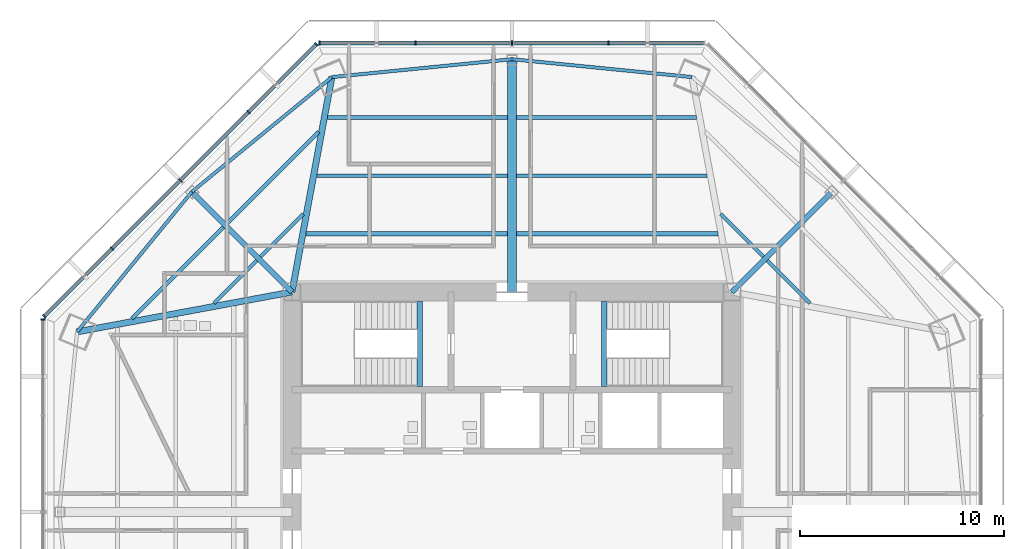
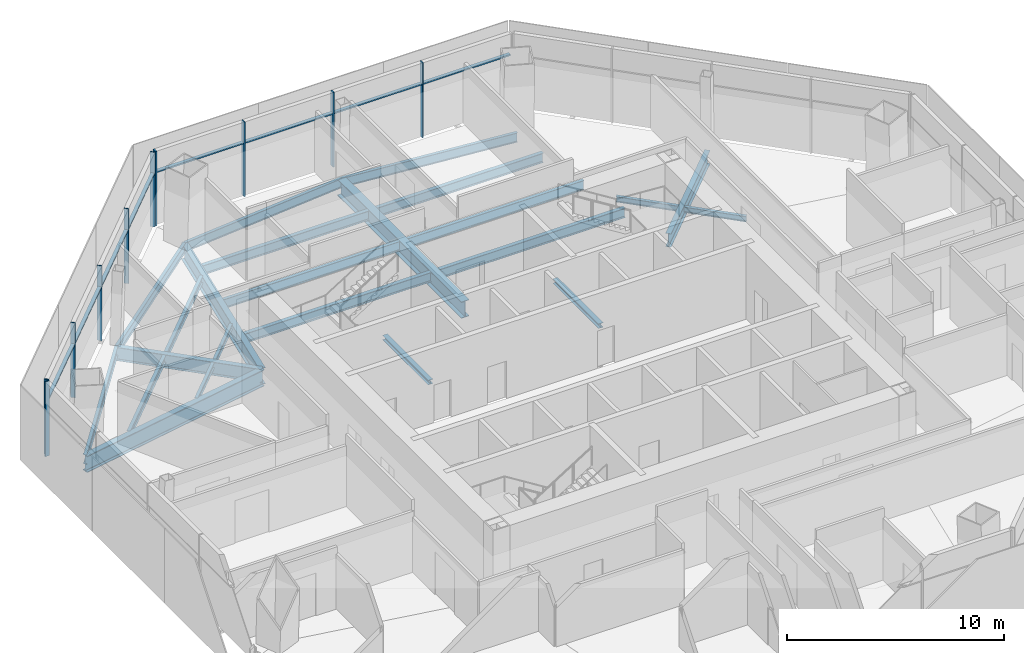
# One storey, part 5 of 15: 23 beams, 18 members, 3 elements without a shape of their own.
"""IFC4 building model written with IfcOpenShell, lengths in metres."""

from ifc_helpers import new_model, si_unit, direction, frame, origin, origin_2d, place, context, subcontext, project, spatial, rectangle, i_section, extrude, source, transform, mapped, material, material_profile, profile_set, type_object, type_shapes, element, aggregate, save


model = new_model("IFC4")

# Units and contexts
model_context = context("Model", 3, precision=1e-05, world=origin(), true_north=direction((0.0, 1.0)))
body_context = subcontext(model_context, "Body", "Model", "MODEL_VIEW")
ifc_project = project(units=[si_unit("LENGTHUNIT", "METRE"), si_unit("AREAUNIT", "SQUARE_METRE"), si_unit("VOLUMEUNIT", "CUBIC_METRE"), si_unit("PLANEANGLEUNIT", "RADIAN"), si_unit("MASSUNIT", "GRAM", prefix="KILO")], contexts=[model_context])

# Site, building, storey
site_placement = place(None, origin())
site = spatial("IfcSite", under=ifc_project, at=site_placement, CompositionType="ELEMENT")
building_placement = place(site_placement, origin())
building = spatial("IfcBuilding", under=site, at=building_placement, Name="Mashrafa Tower", CompositionType="ELEMENT")
storey_placement = place(building_placement, frame((0.0, 0.0, 176.39990234375)))
storey = spatial("IfcBuildingStorey", under=building, at=storey_placement, Name="L40", CompositionType="ELEMENT", Elevation=176.39990234375)

# Beams
ifc_material_1 = material(Name="Steel ASTM A992", Category="steel")
ifc_material_profile_1 = material_profile(ifc_material_1, i_section(OverallWidth=0.164794921875, OverallDepth=0.309814453125, WebThickness=0.005859375, FlangeThickness=0.009765625, FilletRadius=0.007568359375, at=origin_2d()), Name="W12X26")
ifc_profile_set_1 = profile_set([ifc_material_profile_1], Name="Steel ASTM A992")
beam_type_1 = type_object("IfcBeamType", Name="Beam W12X26", PredefinedType="BEAM", material=ifc_profile_set_1)
for number, where, z_axis, x_axis, name in (
    (1, (-14.63330078125, 10.24560546875, -0.31982421875), (0.707106781187, 0.707106781187, 0.0), (-0.707106781187, 0.707106781187, 0.0), "Floor beam L40 006"),
    (2, (-12.34521484375, 12.53369140625, -0.31982421875), (0.707106781187, 0.707106781187, 0.0), (-0.707106781187, 0.707106781187, 0.0), "Floor beam L40 012"),
    (3, (10.24560546875, 14.63330078125, -0.31982421875), (0.707106781187, -0.707106781187, 0.0), (0.707106781187, 0.707106781187, 0.0), "Floor beam L40 027"),
    (4, (12.53369140625, 12.34521484375, -0.31982421875), (0.707106781187, -0.707106781187, 0.0), (0.707106781187, 0.707106781187, 0.0), "Floor beam L40 030"),
):
    element("IfcBeam", number, at=place(storey_placement, frame(where, z_axis=z_axis, x_axis=x_axis)), inside=storey, type_object=beam_type_1, Name=name, PredefinedType="BEAM", context=body_context, shape_type="SweptSolid", body=[
        extrude(i_section(OverallWidth=0.164794921875, OverallDepth=0.309814453125, WebThickness=0.005859375, FlangeThickness=0.009765625, FilletRadius=0.007568359375, at=origin_2d()), origin(), (0.0, 0.0, 1.0), 2.96923828125),
    ])
ifc_material_2 = material(Name="Steel ASTM A992", Category="steel")
ifc_material_profile_2 = material_profile(ifc_material_2, i_section(OverallWidth=0.177734375, OverallDepth=0.406494140625, WebThickness=0.0078125, FlangeThickness=0.012939453125, FilletRadius=0.01025390625, at=origin_2d()), Name="W16X40")
ifc_profile_set_2 = profile_set([ifc_material_profile_2], Name="Steel ASTM A992")
beam_type_2 = type_object("IfcBeamType", Name="Beam W16X40", PredefinedType="BEAM", material=ifc_profile_set_2)
for number, where, z_axis, x_axis, name in (
    (5, (-18.65869140625, 9.49951171875, -0.3681640625), (0.707126025591, 0.707087536258, 0.0), (-0.707087536258, 0.707126025591, 0.0), "Floor beam L40 003"),
    (6, (-13.984619140625, 14.17333984375, -0.3681640625), (0.707087536258, 0.707126025591, 0.0), (-0.707126025591, 0.707087536258, 0.0), "Floor beam L40 008"),
):
    element("IfcBeam", number, at=place(storey_placement, frame(where, z_axis=z_axis, x_axis=x_axis)), inside=storey, type_object=beam_type_2, Name=name, PredefinedType="BEAM", context=body_context, shape_type="SweptSolid", body=[
        extrude(i_section(OverallWidth=0.177734375, OverallDepth=0.406494140625, WebThickness=0.0078125, FlangeThickness=0.012939453125, FilletRadius=0.01025390625, at=origin_2d()), origin(), (0.0, 0.0, 1.0), 6.343017578125),
    ])
ifc_material_3 = material(Name="Steel ASTM A992", Category="steel")
ifc_material_profile_3 = material_profile(ifc_material_3, i_section(OverallWidth=0.1650390625, OverallDepth=0.52587890625, WebThickness=0.0087890625, FlangeThickness=0.011474609375, FilletRadius=0.0126953125, at=origin_2d()), Name="W21X44")
ifc_profile_set_3 = profile_set([ifc_material_profile_3], Name="Steel ASTM A992")
beam_type_3 = type_object("IfcBeamType", Name="Beam W21X44", PredefinedType="BEAM", material=ifc_profile_set_3)
for number, where, z_axis, x_axis, name in (
    (7, (-9.584228515625, 16.5146484375, -0.427734375), (1.0, 0.0, 0.0), (0.0, 1.0, 0.0), "Floor beam L40 015"),
    (8, (0.20947265625, 16.5146484375, -0.427734375), (1.0, 0.0, 0.0), (0.0, 1.0, 0.0), "Floor beam L40 022"),
):
    element("IfcBeam", number, at=place(storey_placement, frame(where, z_axis=z_axis, x_axis=x_axis)), inside=storey, type_object=beam_type_3, Name=name, PredefinedType="BEAM", context=body_context, shape_type="SweptSolid", body=[
        extrude(i_section(OverallWidth=0.1650390625, OverallDepth=0.52587890625, WebThickness=0.0087890625, FlangeThickness=0.011474609375, FilletRadius=0.0126953125, at=origin_2d()), origin(), (0.0, 0.0, 1.0), 9.374755859375),
    ])
for number, where, z_axis, x_axis, name in (
    (9, (-15.718505859375, 15.718505859375, -0.427734375), (-0.633774674835, -0.773517718955, 0.0), (0.773517718955, -0.633774674835, 0.0), "Spandrel beam L40 061"),
    (10, (-8.843994140625, 21.35107421875, -0.427734375), (-0.773517718955, -0.633774674835, 0.0), (0.633774674835, -0.773517718955, 0.0), "Spandrel beam L40 063"),
    (11, (0.0, 22.229248046875, -0.427734375), (-0.99510630384, -0.098810141474, 0.0), (0.098810141474, -0.99510630384, 0.0), "Spandrel beam L40 065"),
    (12, (8.843994140625, 21.35107421875, -0.427734375), (-0.99510630384, 0.098810141474, 0.0), (-0.098810141474, -0.99510630384, 0.0), "Spandrel beam L40 067"),
):
    element("IfcBeam", number, at=place(storey_placement, frame(where, z_axis=z_axis, x_axis=x_axis)), inside=storey, type_object=beam_type_3, Name=name, PredefinedType="BEAM", context=body_context, shape_type="SweptSolid", body=[
        extrude(i_section(OverallWidth=0.1650390625, OverallDepth=0.52587890625, WebThickness=0.0087890625, FlangeThickness=0.011474609375, FilletRadius=0.0126953125, at=origin_2d()), origin(), (0.0, 0.0, 1.0), 8.887451171875),
    ])
ifc_material_4 = material(Name="Steel ASTM A992", Category="steel")
ifc_material_profile_4 = material_profile(ifc_material_4, i_section(OverallWidth=0.209228515625, OverallDepth=0.533447265625, WebThickness=0.01025390625, FlangeThickness=0.015625, FilletRadius=0.012939453125, at=origin_2d()), Name="W21X62")
ifc_profile_set_4 = profile_set([ifc_material_profile_4], Name="Steel ASTM A992")
beam_type_4 = type_object("IfcBeamType", Name="Beam W21X62", PredefinedType="BEAM", material=ifc_profile_set_4)
beam_1_placement = place(storey_placement, frame((-10.114013671875, 13.6572265625, -0.431640625), z_axis=(1.0, 0.0, 0.0), x_axis=(0.0, 1.0, 0.0)))
element("IfcBeam", 13, at=beam_1_placement, inside=storey, type_object=beam_type_4, Name="Floor beam L40 013", PredefinedType="BEAM", context=body_context, shape_type="SweptSolid", body=[
    extrude(i_section(OverallWidth=0.209228515625, OverallDepth=0.533447265625, WebThickness=0.01025390625, FlangeThickness=0.015625, FilletRadius=0.012939453125, at=origin_2d()), origin(), (0.0, 0.0, 1.0), 9.904541015625),
])
beam_2_placement = place(storey_placement, frame((-9.054443359375, 19.3720703125, -0.431640625), z_axis=(1.0, 0.0, 0.0), x_axis=(0.0, 1.0, 0.0)))
element("IfcBeam", 14, at=beam_2_placement, inside=storey, type_object=beam_type_4, Name="Floor beam L40 017", PredefinedType="BEAM", context=body_context, shape_type="SweptSolid", body=[
    extrude(i_section(OverallWidth=0.209228515625, OverallDepth=0.533447265625, WebThickness=0.01025390625, FlangeThickness=0.015625, FilletRadius=0.012939453125, at=origin_2d()), origin(), (0.0, 0.0, 1.0), 8.844970703125),
])
beam_3_placement = place(storey_placement, frame((0.20947265625, 13.6572265625, -0.431640625), z_axis=(1.0, 0.0, 0.0), x_axis=(0.0, 1.0, 0.0)))
element("IfcBeam", 15, at=beam_3_placement, inside=storey, type_object=beam_type_4, Name="Floor beam L40 021", PredefinedType="BEAM", context=body_context, shape_type="SweptSolid", body=[
    extrude(i_section(OverallWidth=0.209228515625, OverallDepth=0.533447265625, WebThickness=0.01025390625, FlangeThickness=0.015625, FilletRadius=0.012939453125, at=origin_2d()), origin(), (0.0, 0.0, 1.0), 9.904541015625),
])
beam_4_placement = place(storey_placement, frame((0.20947265625, 19.3720703125, -0.431640625), z_axis=(1.0, 0.0, 0.0), x_axis=(0.0, 1.0, 0.0)))
element("IfcBeam", 16, at=beam_4_placement, inside=storey, type_object=beam_type_4, Name="Floor beam L40 023", PredefinedType="BEAM", context=body_context, shape_type="SweptSolid", body=[
    extrude(i_section(OverallWidth=0.209228515625, OverallDepth=0.533447265625, WebThickness=0.01025390625, FlangeThickness=0.015625, FilletRadius=0.012939453125, at=origin_2d()), origin(), (0.0, 0.0, 1.0), 8.844970703125),
])
ifc_material_5 = material(Name="Steel ASTM A992", Category="steel")
ifc_material_profile_5 = material_profile(ifc_material_5, i_section(OverallWidth=0.2666015625, OverallDepth=0.75439453125, WebThickness=0.01318359375, FlangeThickness=0.01708984375, FilletRadius=0.0166015625, at=origin_2d()), Name="W30X99")
ifc_profile_set_5 = profile_set([ifc_material_profile_5], Name="Steel ASTM A992")
beam_type_5 = type_object("IfcBeamType", Name="Beam W30X99", PredefinedType="BEAM", material=ifc_profile_set_5)
for number, where, z_axis, x_axis, name in (
    (17, (-10.800048828125, 10.800048828125, -0.5419921875), (-0.707106781187, 0.707106781187, 0.0), (-0.707106781187, -0.707106781187, 0.0), "Radial girder L40 046"),
    (18, (10.800048828125, 10.800048828125, -0.5419921875), (0.707106781187, 0.707106781187, 0.0), (-0.707106781187, 0.707106781187, 0.0), "Radial girder L40 055"),
):
    element("IfcBeam", number, at=place(storey_placement, frame(where, z_axis=z_axis, x_axis=x_axis)), inside=storey, type_object=beam_type_5, Name=name, PredefinedType="BEAM", context=body_context, shape_type="SweptSolid", body=[
        extrude(i_section(OverallWidth=0.2666015625, OverallDepth=0.75439453125, WebThickness=0.01318359375, FlangeThickness=0.01708984375, FilletRadius=0.0166015625, at=origin_2d()), origin(), (0.0, 0.0, 1.0), 6.955810546875),
    ])
ifc_material_6 = material(Name="Steel ASTM A992", Category="steel")
ifc_material_profile_6 = material_profile(ifc_material_6, i_section(OverallWidth=0.307373046875, OverallDepth=0.927001953125, WebThickness=0.01953125, FlangeThickness=0.031982421875, FilletRadius=0.01904296875, at=origin_2d()), Name="W36X194")
ifc_profile_set_6 = profile_set([ifc_material_profile_6], Name="Steel ASTM A992")
beam_type_6 = type_object("IfcBeamType", Name="Beam W36X194", PredefinedType="BEAM", material=ifc_profile_set_6)
for number, where, z_axis, x_axis, name in (
    (19, (-10.800048828125, 10.800048828125, -0.62841796875), (-0.983245927501, -0.182283970917, 0.0), (0.182283970917, -0.983245927501, 0.0), "Radial girder L40 045"),
    (20, (-10.800048828125, 10.800048828125, -0.62841796875), (0.182283970917, 0.983245927501, 0.0), (-0.983245927501, 0.182283970917, 0.0), "Radial girder L40 047"),
):
    element("IfcBeam", number, at=place(storey_placement, frame(where, z_axis=z_axis, x_axis=x_axis)), inside=storey, type_object=beam_type_6, Name=name, PredefinedType="BEAM", context=body_context, shape_type="SweptSolid", body=[
        extrude(i_section(OverallWidth=0.307373046875, OverallDepth=0.927001953125, WebThickness=0.01953125, FlangeThickness=0.031982421875, FilletRadius=0.01904296875, at=origin_2d()), origin(), (0.0, 0.0, 1.0), 10.730712890625),
    ])
ifc_material_7 = material(Name="Steel ASTM A992", Category="steel")
ifc_material_profile_7 = material_profile(ifc_material_7, i_section(OverallWidth=0.419189453125, OverallDepth=0.927001953125, WebThickness=0.019287109375, FlangeThickness=0.031982421875, FilletRadius=0.020263671875, at=origin_2d()), Name="W36X231")
ifc_profile_set_7 = profile_set([ifc_material_profile_7], Name="Steel ASTM A992")
beam_type_7 = type_object("IfcBeamType", Name="Beam W36X231", PredefinedType="BEAM", material=ifc_profile_set_7)
beam_5_placement = place(storey_placement, frame((0.0, 10.800048828125, -0.62841796875), z_axis=(0.0, 1.0, 0.0), x_axis=(-1.0, 0.0, 0.0)))
element("IfcBeam", 21, at=beam_5_placement, inside=storey, type_object=beam_type_7, Name="Radial girder L40 049", PredefinedType="BEAM", context=body_context, shape_type="SweptSolid", body=[
    extrude(i_section(OverallWidth=0.419189453125, OverallDepth=0.927001953125, WebThickness=0.019287109375, FlangeThickness=0.031982421875, FilletRadius=0.020263671875, at=origin_2d()), origin(), (0.0, 0.0, 1.0), 11.42919921875),
])
ifc_material_8 = material(Name="Steel ASTM A992", Category="steel")
ifc_material_profile_8 = material_profile(ifc_material_8, i_section(OverallWidth=0.25390625, OverallDepth=0.25390625, WebThickness=0.008544921875, FlangeThickness=0.01416015625, FilletRadius=0.010009765625, at=origin_2d()), Name="W10X49")
ifc_profile_set_8 = profile_set([ifc_material_profile_8], Name="Steel ASTM A992")
beam_type_8 = type_object("IfcBeamType", Name="Hoistway beam W10X49", PredefinedType="BEAM", material=ifc_profile_set_8)
for number, where, z_axis, x_axis, name in (
    (22, (-4.530029296875, 6.14990234375, -0.326904296875), (0.0, 1.0, 0.0), (-1.0, 0.0, 0.0), "Stair S1 landing beam L40"),
    (23, (4.530029296875, 6.14990234375, -0.326904296875), (0.0, 1.0, 0.0), (-1.0, 0.0, 0.0), "Stair S2 landing beam L40"),
):
    element("IfcBeam", number, at=place(storey_placement, frame(where, z_axis=z_axis, x_axis=x_axis)), inside=storey, type_object=beam_type_8, Name=name, PredefinedType="BEAM", context=body_context, shape_type="SweptSolid", body=[
        extrude(i_section(OverallWidth=0.25390625, OverallDepth=0.25390625, WebThickness=0.008544921875, FlangeThickness=0.01416015625, FilletRadius=0.010009765625, at=origin_2d()), origin(), (0.0, 0.0, 1.0), 4.2001953125),
    ])

# Curtain wall, members
ifc_material_9 = material(Name="Unitised aluminium curtain wall", Category="aluminium")
curtain_wall_type = type_object("IfcCurtainWallType", Name="Office curtain wall, zone 2 CW-B 225 deep", PredefinedType="NOTDEFINED", material=ifc_material_9)
curtain_wall_1_placement = place(storey_placement, origin())
curtain_wall_1 = element("IfcCurtainWall", 24, at=curtain_wall_1_placement, inside=storey, type_object=curtain_wall_type, Name="Office curtain wall, zone 2 L40 north", PredefinedType="NOTDEFINED")
ifc_material_10 = material(Name="Extruded aluminium mullion", Category="aluminium")
ifc_material_profile_9 = material_profile(ifc_material_10, rectangle(XDim=0.22509765625, YDim=0.06494140625, at=origin_2d()), Name="Mullion 65x225")
ifc_profile_set_9 = profile_set([ifc_material_profile_9], Name="Extruded aluminium mullion")
member_type_1 = type_object("IfcMemberType", Name="Mullion CW-B 65 x 225", PredefinedType="MULLION", material=ifc_profile_set_9)
shared_shape_1 = source(origin(), body_context, "Body", "SweptSolid", [
    extrude(rectangle(XDim=0.22509765625, YDim=0.06494140625, at=origin_2d()), origin(), (0.0, 0.0, 1.0), 4.2001953125),
])
type_shapes(member_type_1, [shared_shape_1])
member_1_placement = place(storey_placement, frame((4.740234375, 23.024658203125, 0.0), z_axis=(0.0, 0.0, 1.0), x_axis=(0.0, -1.0, 0.0)))
member_1 = element("IfcMember", 25, at=member_1_placement, type_object=member_type_1, Name="CW-B mullion 2", PredefinedType="MULLION", context=body_context, shape_type="MappedRepresentation", body=[
    mapped(shared_shape_1, transform((0.0, 0.0, 0.0))),
])
member_2_placement = place(storey_placement, frame((0.0, 23.024658203125, 0.0), z_axis=(0.0, 0.0, 1.0), x_axis=(0.0, -1.0, 0.0)))
member_2 = element("IfcMember", 26, at=member_2_placement, type_object=member_type_1, Name="CW-B mullion 3", PredefinedType="MULLION", context=body_context, shape_type="MappedRepresentation", body=[
    mapped(shared_shape_1, transform((0.0, 0.0, 0.0))),
])
member_3_placement = place(storey_placement, frame((-4.740234375, 23.024658203125, 0.0), z_axis=(0.0, 0.0, 1.0), x_axis=(0.0, -1.0, 0.0)))
member_3 = element("IfcMember", 27, at=member_3_placement, type_object=member_type_1, Name="CW-B mullion 4", PredefinedType="MULLION", context=body_context, shape_type="MappedRepresentation", body=[
    mapped(shared_shape_1, transform((0.0, 0.0, 0.0))),
])
member_4_placement = place(storey_placement, frame((-9.447998046875, 23.024658203125, 0.0), z_axis=(0.0, 0.0, 1.0), x_axis=(0.0, -1.0, 0.0)))
member_4 = element("IfcMember", 28, at=member_4_placement, type_object=member_type_1, Name="CW-B mullion 5", PredefinedType="MULLION", context=body_context, shape_type="MappedRepresentation", body=[
    mapped(shared_shape_1, transform((0.0, 0.0, 0.0))),
])

curtain_wall_2_placement = place(storey_placement, origin())
curtain_wall_2 = element("IfcCurtainWall", 29, at=curtain_wall_2_placement, inside=storey, type_object=curtain_wall_type, Name="Office curtain wall, zone 2 L40 north-west", PredefinedType="NOTDEFINED")
member_5_placement = place(storey_placement, frame((-9.60009765625, 22.961669921875, 0.0), z_axis=(0.0, 0.0, 1.0), x_axis=(0.707106781187, -0.707106781187, 0.0)))
member_5 = element("IfcMember", 30, at=member_5_placement, type_object=member_type_1, Name="CW-B mullion 1", PredefinedType="MULLION", context=body_context, shape_type="MappedRepresentation", body=[
    mapped(shared_shape_1, transform((0.0, 0.0, 0.0))),
])
member_6_placement = place(storey_placement, frame((-12.928955078125, 19.6328125, 0.0), z_axis=(0.0, 0.0, 1.0), x_axis=(0.707106781187, -0.707106781187, 0.0)))
member_6 = element("IfcMember", 31, at=member_6_placement, type_object=member_type_1, Name="CW-B mullion 2", PredefinedType="MULLION", context=body_context, shape_type="MappedRepresentation", body=[
    mapped(shared_shape_1, transform((0.0, 0.0, 0.0))),
])
member_7_placement = place(storey_placement, frame((-16.28076171875, 16.28076171875, 0.0), z_axis=(0.0, 0.0, 1.0), x_axis=(0.707106781187, -0.707106781187, 0.0)))
member_7 = element("IfcMember", 32, at=member_7_placement, type_object=member_type_1, Name="CW-B mullion 3", PredefinedType="MULLION", context=body_context, shape_type="MappedRepresentation", body=[
    mapped(shared_shape_1, transform((0.0, 0.0, 0.0))),
])
member_8_placement = place(storey_placement, frame((-19.6328125, 12.928955078125, 0.0), z_axis=(0.0, 0.0, 1.0), x_axis=(0.707106781187, -0.707106781187, 0.0)))
member_8 = element("IfcMember", 33, at=member_8_placement, type_object=member_type_1, Name="CW-B mullion 4", PredefinedType="MULLION", context=body_context, shape_type="MappedRepresentation", body=[
    mapped(shared_shape_1, transform((0.0, 0.0, 0.0))),
])
member_9_placement = place(storey_placement, frame((-22.961669921875, 9.60009765625, 0.0), z_axis=(0.0, 0.0, 1.0), x_axis=(0.707106781187, -0.707106781187, 0.0)))
member_9 = element("IfcMember", 34, at=member_9_placement, type_object=member_type_1, Name="CW-B mullion 5", PredefinedType="MULLION", context=body_context, shape_type="MappedRepresentation", body=[
    mapped(shared_shape_1, transform((0.0, 0.0, 0.0))),
])

# Curtain wall, member
curtain_wall_3_placement = place(storey_placement, origin())
curtain_wall_3 = element("IfcCurtainWall", 35, at=curtain_wall_3_placement, inside=storey, type_object=curtain_wall_type, Name="Office curtain wall, zone 2 L40 west", PredefinedType="NOTDEFINED")
member_10_placement = place(storey_placement, frame((-23.024658203125, 9.447998046875, 0.0), z_axis=(0.0, 0.0, 1.0), x_axis=(1.0, 0.0, 0.0)))
member_10 = element("IfcMember", 36, at=member_10_placement, type_object=member_type_1, Name="CW-B mullion 1", PredefinedType="MULLION", context=body_context, shape_type="MappedRepresentation", body=[
    mapped(shared_shape_1, transform((0.0, 0.0, 0.0))),
])
aggregate(curtain_wall_3, [member_10])

# Member
ifc_material_11 = material(Name="Extruded aluminium transom", Category="aluminium")
ifc_material_profile_10 = material_profile(ifc_material_11, rectangle(XDim=0.179931640625, YDim=0.080078125, at=origin_2d()), Name="Transom 80x180")
ifc_profile_set_10 = profile_set([ifc_material_profile_10], Name="Extruded aluminium transom")
member_type_2 = type_object("IfcMemberType", Name="Transom CW-B 80 x 180", PredefinedType="MULLION", material=ifc_profile_set_10)
shared_shape_2 = source(origin(), body_context, "Body", "SweptSolid", [
    extrude(rectangle(XDim=0.179931640625, YDim=0.080078125, at=origin_2d()), origin(), (0.0, 0.0, 1.0), 4.642822265625),
])
member_11_placement = place(storey_placement, frame((9.41552734375, 23.024658203125, 3.0), z_axis=(-1.0, 0.0, 0.0), x_axis=(0.0, -1.0, 0.0)))
member_11 = element("IfcMember", 37, at=member_11_placement, type_object=member_type_2, Name="CW-B transom 1", PredefinedType="MULLION", context=body_context, shape_type="MappedRepresentation", body=[
    mapped(shared_shape_2, transform((0.0, 0.0, 0.0))),
])

member_12_placement = place(storey_placement, frame((-4.772705078125, 23.024658203125, 3.0), z_axis=(-1.0, 0.0, 0.0), x_axis=(0.0, -1.0, 0.0)))
member_12 = element("IfcMember", 38, at=member_12_placement, type_object=member_type_2, Name="CW-B transom 4", PredefinedType="MULLION", context=body_context, shape_type="MappedRepresentation", body=[
    mapped(shared_shape_2, transform((0.0, 0.0, 0.0))),
])

member_13_placement = place(storey_placement, frame((-9.623046875, 22.938720703125, 3.0), z_axis=(-0.707106781187, -0.707106781187, 0.0), x_axis=(0.707106781187, -0.707106781187, 0.0)))
member_13 = element("IfcMember", 39, at=member_13_placement, type_object=member_type_2, Name="CW-B transom 1", PredefinedType="MULLION", context=body_context, shape_type="MappedRepresentation", body=[
    mapped(shared_shape_2, transform((0.0, 0.0, 0.0))),
])

member_14_placement = place(storey_placement, frame((-19.65576171875, 12.906005859375, 3.0), z_axis=(-0.707106781187, -0.707106781187, 0.0), x_axis=(0.707106781187, -0.707106781187, 0.0)))
member_14 = element("IfcMember", 40, at=member_14_placement, type_object=member_type_2, Name="CW-B transom 4", PredefinedType="MULLION", context=body_context, shape_type="MappedRepresentation", body=[
    mapped(shared_shape_2, transform((0.0, 0.0, 0.0))),
])

shared_shape_3 = source(origin(), body_context, "Body", "SweptSolid", [
    extrude(rectangle(XDim=0.179931640625, YDim=0.080078125, at=origin_2d()), origin(), (0.0, 0.0, 1.0), 4.67529296875),
])
type_shapes(member_type_2, [shared_shape_2, shared_shape_3])
member_15_placement = place(storey_placement, frame((4.707763671875, 23.024658203125, 3.0), z_axis=(-1.0, 0.0, 0.0), x_axis=(0.0, -1.0, 0.0)))
member_15 = element("IfcMember", 41, at=member_15_placement, type_object=member_type_2, Name="CW-B transom 2", PredefinedType="MULLION", context=body_context, shape_type="MappedRepresentation", body=[
    mapped(shared_shape_3, transform((0.0, 0.0, 0.0))),
])

member_16_placement = place(storey_placement, frame((-0.032470703125, 23.024658203125, 3.0), z_axis=(-1.0, 0.0, 0.0), x_axis=(0.0, -1.0, 0.0)))
member_16 = element("IfcMember", 42, at=member_16_placement, type_object=member_type_2, Name="CW-B transom 3", PredefinedType="MULLION", context=body_context, shape_type="MappedRepresentation", body=[
    mapped(shared_shape_3, transform((0.0, 0.0, 0.0))),
])

aggregate(curtain_wall_1, [member_1, member_2, member_3, member_4, member_11, member_15, member_16, member_12])

member_17_placement = place(storey_placement, frame((-12.951904296875, 19.60986328125, 3.0), z_axis=(-0.707106781187, -0.707106781187, 0.0), x_axis=(0.707106781187, -0.707106781187, 0.0)))
member_17 = element("IfcMember", 43, at=member_17_placement, type_object=member_type_2, Name="CW-B transom 2", PredefinedType="MULLION", context=body_context, shape_type="MappedRepresentation", body=[
    mapped(shared_shape_3, transform((0.0, 0.0, 0.0))),
])

member_18_placement = place(storey_placement, frame((-16.303955078125, 16.2578125, 3.0), z_axis=(-0.707106781187, -0.707106781187, 0.0), x_axis=(0.707106781187, -0.707106781187, 0.0)))
member_18 = element("IfcMember", 44, at=member_18_placement, type_object=member_type_2, Name="CW-B transom 3", PredefinedType="MULLION", context=body_context, shape_type="MappedRepresentation", body=[
    mapped(shared_shape_3, transform((0.0, 0.0, 0.0))),
])

aggregate(curtain_wall_2, [member_5, member_6, member_7, member_8, member_9, member_13, member_17, member_18, member_14])

save(model, "model.ifc")
